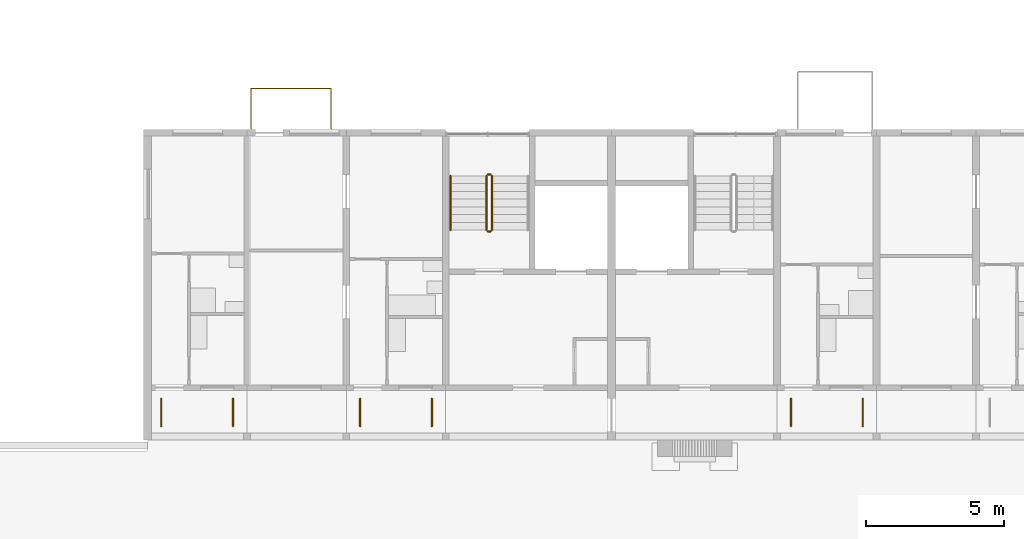
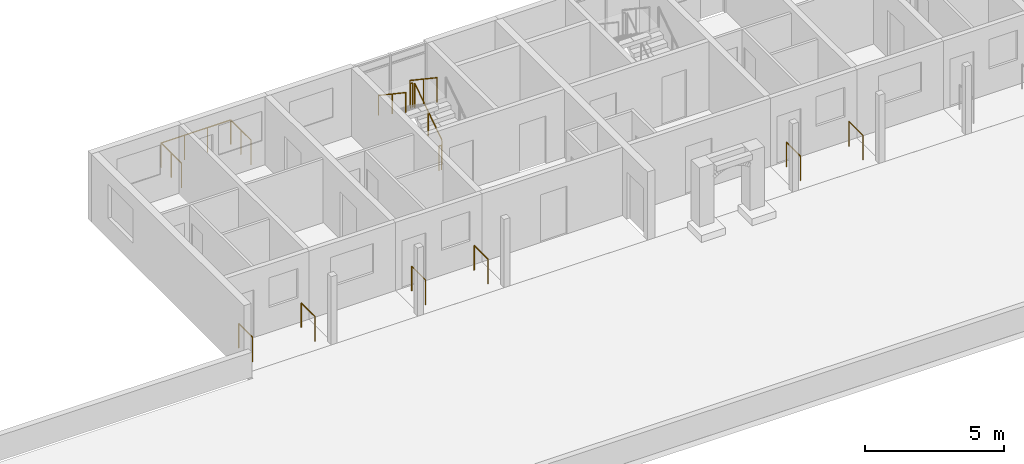
# One storey, part 103 of 115: 12 railings.
"""IFC4 building model written with IfcOpenShell, lengths in metres."""

import ifcopenshell
import ifcopenshell.guid

model = None  # the IFC model being written
_history = None  # IfcOwnerHistory: only IFC2X3 demands one
_inside = {}  # id of a spatial element -> (the spatial element, [elements in it])
_under = {}  # id of a project, library or spatial element -> (it, [spatial elements below it])
_declared = {}  # id of a project -> (the project, [libraries it declares])
_typed = {}  # id of a type object -> (the type object, [elements of that type])
_made_of = {}  # id of a material, layer set ... -> (it, [elements and type objects made of it])


def new_model(schema):
    """Start an empty IFC model of exactly this schema.

    Asked for "IFC4X3", IfcOpenShell would pick the latest addendum, in which some entities
    have other attributes; the version numbers below select the first issue.
    IFC2X3 requires an IfcOwnerHistory on every rooted entity: one is made here for all.
    """
    global model, _history
    if schema == "IFC4X3":
        model = ifcopenshell.file(schema_version=(4, 3, 0, 0))
    else:
        model = ifcopenshell.file(schema=schema)
    _inside.clear()
    _under.clear()
    _declared.clear()
    _typed.clear()
    _made_of.clear()
    _history = None
    if model.schema == "IFC2X3":
        org = make("IfcOrganization", Name="unknown")
        user = make(
            "IfcPersonAndOrganization",
            ThePerson=make("IfcPerson", FamilyName="unknown"),
            TheOrganization=org,
        )
        app = make(
            "IfcApplication",
            ApplicationDeveloper=org,
            Version="unknown",
            ApplicationFullName="unknown",
            ApplicationIdentifier="unknown",
        )
        _history = make(
            "IfcOwnerHistory",
            OwningUser=user,
            OwningApplication=app,
            ChangeAction="ADDED",
            CreationDate=0,
        )
    return model


def make(cls, **values):
    """One entity of the class cls with the attributes given. An attribute that is None is left unset."""
    return model.create_entity(
        cls, **{name: value for name, value in values.items() if value is not None}
    )


def rooted(cls, **values):
    """An entity with a GlobalId (a new one), such as an element, a storey or a relation."""
    return make(cls, GlobalId=ifcopenshell.guid.new(), OwnerHistory=_history, **values)


def si_unit(unit_type, name, prefix=None):
    """IfcSIUnit, for example si_unit("LENGTHUNIT", "METRE", prefix="MILLI")."""
    return make("IfcSIUnit", UnitType=unit_type, Prefix=prefix, Name=name)


def assignment(units):
    """IfcUnitAssignment: the units of a project."""
    return None if units is None else make("IfcUnitAssignment", Units=units)


def point(xyz):
    """IfcCartesianPoint."""
    return None if xyz is None else make("IfcCartesianPoint", Coordinates=xyz)


def direction(xyz):
    """IfcDirection."""
    return None if xyz is None else make("IfcDirection", DirectionRatios=xyz)


def frame(location, z_axis=None, x_axis=None):
    """IfcAxis2Placement3D, a coordinate frame: its origin and axes. An axis left out is left unset."""
    return make(
        "IfcAxis2Placement3D",
        Location=point(location),
        Axis=direction(z_axis),
        RefDirection=direction(x_axis),
    )


def frame_2d(location, x_axis=None):
    """IfcAxis2Placement2D, a coordinate frame in the plane: its origin and x axis."""
    return make(
        "IfcAxis2Placement2D", Location=point(location), RefDirection=direction(x_axis)
    )


def origin():
    """The frame at (0, 0, 0) with its axes left unset."""
    return frame((0.0, 0.0, 0.0))


def origin_2d():
    """The frame at (0, 0) in the plane with its x axis left unset."""
    return frame_2d((0.0, 0.0))


def place(relative_to, where):
    """IfcLocalPlacement: puts the frame where relative to a parent placement (None: the world)."""
    return make(
        "IfcLocalPlacement", PlacementRelTo=relative_to, RelativePlacement=where
    )


def context(
    kind, dimensions, precision=None, world=None, true_north=None, identifier=None
):
    """IfcGeometricRepresentationContext, for example the 3D "Model" context."""
    return make(
        "IfcGeometricRepresentationContext",
        ContextIdentifier=identifier,
        ContextType=kind,
        CoordinateSpaceDimension=dimensions,
        Precision=precision,
        WorldCoordinateSystem=world,
        TrueNorth=true_north,
    )


def subcontext(parent, identifier, kind, view, scale=None):
    """IfcGeometricRepresentationSubContext, for example "Body" below "Model"."""
    return make(
        "IfcGeometricRepresentationSubContext",
        ContextIdentifier=identifier,
        ContextType=kind,
        ParentContext=parent,
        TargetScale=scale,
        TargetView=view,
    )


def project(units=None, contexts=None):
    """IfcProject with its units and contexts."""
    return rooted(
        "IfcProject",
        Name="project",
        RepresentationContexts=contexts,
        UnitsInContext=assignment(units),
    )


def spatial(cls, under=None, at=None, **own):
    """A site, building, storey or space (cls), placed at a placement, below another one or the project."""
    s = rooted(cls, ObjectPlacement=at, **own)
    if under is not None:
        _under.setdefault(under.id(), (under, []))[1].append(s)
    return s


def profile(cls, at=None, kind="AREA", **sizes):
    """A parametric profile (cls). Its sizes go by their IFC names, for example OverallWidth=200.0."""
    return make(cls, ProfileType=kind, Position=at, **sizes)


def circle(**sizes):
    """IfcCircleProfileDef."""
    return profile("IfcCircleProfileDef", **sizes)


def extrude(swept, where, along, depth):
    """IfcExtrudedAreaSolid: the profile swept, set in the frame where, extruded along a direction by depth."""
    return make(
        "IfcExtrudedAreaSolid",
        SweptArea=swept,
        Position=where,
        ExtrudedDirection=direction(along),
        Depth=depth,
    )


def shape(context_of_items, identifier, shape_type, items):
    """IfcShapeRepresentation: the items that make up one representation, for example the "Body"."""
    return make(
        "IfcShapeRepresentation",
        ContextOfItems=context_of_items,
        RepresentationIdentifier=identifier,
        RepresentationType=shape_type,
        Items=items,
    )


def material(Name=None, Category=None):
    """IfcMaterial."""
    return make("IfcMaterial", Name=Name, Category=Category)


def made_of(thing, what):
    """Note that an element or type object is made of a material, layer set ...; save() writes the relation."""
    if what is not None:
        _made_of.setdefault(what.id(), (what, []))[1].append(thing)
    return thing


def type_object(cls, material=None, **own):
    """A type object (cls), such as IfcWallType, which elements share."""
    return made_of(rooted(cls, **own), material)


def element(
    cls,
    number,
    at=None,
    inside=None,
    cuts=None,
    type_object=None,
    material=None,
    context=None,
    identifier="Body",
    shape_type=None,
    held_by="IfcProductDefinitionShape",
    body=None,
    shapes=None,
    **own,
):
    """One element of the class cls, such as IfcWall. Its Tag is "e" and its number.

    at: its placement. inside: the storey or other place that contains it. cuts: it is an
    opening in that element (IfcRelVoidsElement). A single representation is given by context,
    identifier, shape_type and body (its items); several are given by shapes. held_by: the class
    of the entity that holds the representations. save() writes the other relations.
    """
    e = rooted(cls, Tag="e%d" % number, ObjectPlacement=at, **own)
    if body is not None:
        shapes = [shape(context, identifier, shape_type, body)]
    if shapes is not None:
        e.Representation = make(held_by, Representations=shapes)
    if inside is not None:
        _inside.setdefault(inside.id(), (inside, []))[1].append(e)
    if cuts is not None:
        rooted(
            "IfcRelVoidsElement", RelatingBuildingElement=cuts, RelatedOpeningElement=e
        )
    if type_object is not None:
        _typed.setdefault(type_object.id(), (type_object, []))[1].append(e)
    return made_of(e, material)


def aggregate(whole, parts):
    """IfcRelAggregates: a whole, such as a stair, and the parts it consists of."""
    return rooted("IfcRelAggregates", RelatingObject=whole, RelatedObjects=parts)


def save(model, path):
    """Write the relations noted so far, then the file.

    IfcRelAggregates (storeys below a building ...), IfcRelContainedInSpatialStructure (elements
    in a storey), IfcRelDefinesByType, IfcRelAssociatesMaterial and IfcRelDeclares: one each for
    every whole, place, type object, material and project.
    """
    for whole, parts in _under.values():
        aggregate(whole, parts)
    for where, things in _inside.values():
        rooted(
            "IfcRelContainedInSpatialStructure",
            RelatedElements=things,
            RelatingStructure=where,
        )
    for kind, things in _typed.values():
        rooted("IfcRelDefinesByType", RelatedObjects=things, RelatingType=kind)
    for what, things in _made_of.values():
        rooted("IfcRelAssociatesMaterial", RelatedObjects=things, RelatingMaterial=what)
    for by, libraries in _declared.values():
        rooted("IfcRelDeclares", RelatingContext=by, RelatedDefinitions=libraries)
    model.write(path)


model = new_model("IFC4")

# Units and contexts
model_context = context("Model", 3, precision=1e-05, world=origin(), true_north=direction((0.0, 1.0)))
body_context = subcontext(model_context, "Body", "Model", "MODEL_VIEW")
ifc_project = project(units=[si_unit("LENGTHUNIT", "METRE"), si_unit("AREAUNIT", "SQUARE_METRE"), si_unit("VOLUMEUNIT", "CUBIC_METRE"), si_unit("PLANEANGLEUNIT", "RADIAN"), si_unit("MASSUNIT", "GRAM", prefix="KILO")], contexts=[model_context])

# Site, building, storey
site_placement = place(None, origin())
site = spatial("IfcSite", under=ifc_project, at=site_placement, CompositionType="ELEMENT")
building_placement = place(site_placement, origin())
building = spatial("IfcBuilding", under=site, at=building_placement, Name="Ridgestep Commons", CompositionType="ELEMENT")
storey_placement = place(building_placement, frame((0.0, 0.0, 6.0)))
storey = spatial("IfcBuildingStorey", under=building, at=storey_placement, Name="L02", CompositionType="ELEMENT", Elevation=6.0)

# Railings
ifc_material_1 = material(Name="Structural steel S355JR", Category="steel")
railing_type_1 = type_object("IfcRailingType", Name="Guard 1100", PredefinedType="GUARDRAIL", material=ifc_material_1)
for number, where, name in (
    (1, (147.300048828125, 12.25, 0.0), "Gallery side guard D 02.1W"),
    (2, (149.89990234375, 12.25, 0.0), "Gallery side guard D 02.1E"),
    (3, (154.5, 12.25, 0.0), "Gallery side guard D 02.3W"),
    (4, (157.10009765625, 12.25, 0.0), "Gallery side guard D 02.3E"),
    (5, (170.10009765625, 12.25, 0.0), "Gallery side guard D 02.6W"),
    (6, (172.699951171875, 12.25, 0.0), "Gallery side guard D 02.6E"),
):
    element("IfcRailing", number, at=place(storey_placement, frame(where)), inside=storey, type_object=railing_type_1, Name=name, PredefinedType="GUARDRAIL", context=body_context, shape_type="SweptSolid", body=[
        extrude(circle(Radius=0.02392578125, at=origin_2d()), frame((0.0, 0.0, 1.076171875), z_axis=(0.0, 1.0, 0.0), x_axis=(-1.0, 0.0, 0.0)), (0.0, 0.0, 1.0), 1.0),
        extrude(circle(Radius=0.02099609375, at=origin_2d()), origin(), (0.0, 0.0, 1.0), 1.052001953125),
        extrude(circle(Radius=0.02099609375, at=origin_2d()), frame((0.0, 1.0, 0.0)), (0.0, 0.0, 1.0), 1.052001953125),
    ])
ifc_material_2 = material(Name="Structural steel S355JR", Category="steel")
railing_type_2 = type_object("IfcRailingType", Name="Stair guard 1100", PredefinedType="GUARDRAIL", material=ifc_material_2)
railing_1_placement = place(storey_placement, frame((159.27490234375, 19.35009765625, 0.1875)))
element("IfcRailing", 7, at=railing_1_placement, inside=storey, type_object=railing_type_2, Name="L02 D1C stair guard 1", PredefinedType="GUARDRAIL", context=body_context, shape_type="SweptSolid", body=[
    extrude(circle(Radius=0.02392578125, at=origin_2d()), frame((0.0, 0.0, 1.076171875), z_axis=(0.0, 0.830902050051, 0.556418712142), x_axis=(-1.0, 0.0, 0.0)), (0.0, 0.0, 1.0), 2.35888671875),
    extrude(circle(Radius=0.02099609375, at=origin_2d()), origin(), (0.0, 0.0, 1.0), 1.052001953125),
    extrude(circle(Radius=0.02099609375, at=origin_2d()), frame((0.0, 0.97998046875, 0.65625)), (0.0, 0.0, 1.0), 1.052001953125),
    extrude(circle(Radius=0.02099609375, at=origin_2d()), frame((0.0, 1.9599609375, 1.3125)), (0.0, 0.0, 1.0), 1.052001953125),
])
railing_2_placement = place(storey_placement, frame((159.22509765625, 21.360107421875, 1.5)))
element("IfcRailing", 8, at=railing_2_placement, inside=storey, type_object=railing_type_2, Name="L02 D1C stair guard 2", PredefinedType="GUARDRAIL", context=body_context, shape_type="SweptSolid", body=[
    extrude(circle(Radius=0.02392578125, at=origin_2d()), frame((0.0, 0.0, 1.076171875), z_axis=(-1.0, 0.0, 0.0), x_axis=(0.0, -1.0, 0.0)), (0.0, 0.0, 1.0), 0.10009765625),
    extrude(circle(Radius=0.02099609375, at=origin_2d()), origin(), (0.0, 0.0, 1.0), 1.052001953125),
    extrude(circle(Radius=0.02099609375, at=origin_2d()), frame((-0.10009765625, 0.0, 0.0)), (0.0, 0.0, 1.0), 1.052001953125),
])
railing_3_placement = place(storey_placement, frame((159.074951171875, 21.31005859375, 1.6875)))
element("IfcRailing", 9, at=railing_3_placement, inside=storey, type_object=railing_type_2, Name="L02 D1C stair guard 3", PredefinedType="GUARDRAIL", context=body_context, shape_type="SweptSolid", body=[
    extrude(circle(Radius=0.02392578125, at=origin_2d()), frame((0.0, 0.0, 1.076171875), z_axis=(0.0, -0.830902050051, 0.556418712142), x_axis=(1.0, 0.0, 0.0)), (0.0, 0.0, 1.0), 2.35888671875),
    extrude(circle(Radius=0.02099609375, at=origin_2d()), origin(), (0.0, 0.0, 1.0), 1.052001953125),
    extrude(circle(Radius=0.02099609375, at=origin_2d()), frame((0.0, -0.97998046875, 0.65625)), (0.0, 0.0, 1.0), 1.052001953125),
    extrude(circle(Radius=0.02099609375, at=origin_2d()), frame((0.0, -1.9599609375, 1.3125)), (0.0, 0.0, 1.0), 1.052001953125),
])
railing_4_placement = place(storey_placement, frame((159.22509765625, 19.300048828125, 0.0)))
element("IfcRailing", 10, at=railing_4_placement, inside=storey, type_object=railing_type_2, Name="L02 D1C stair guard 4", PredefinedType="GUARDRAIL", context=body_context, shape_type="SweptSolid", body=[
    extrude(circle(Radius=0.02392578125, at=origin_2d()), frame((0.0, 0.0, 1.076171875), z_axis=(-1.0, 0.0, 0.0), x_axis=(0.0, -1.0, 0.0)), (0.0, 0.0, 1.0), 0.10009765625),
    extrude(circle(Radius=0.02099609375, at=origin_2d()), origin(), (0.0, 0.0, 1.0), 1.052001953125),
    extrude(circle(Radius=0.02099609375, at=origin_2d()), frame((-0.10009765625, 0.0, 0.0)), (0.0, 0.0, 1.0), 1.052001953125),
])
ifc_material_3 = material(Name="Structural steel S355JR", Category="steel")
railing_type_3 = type_object("IfcRailingType", Name="Stair handrail 900", PredefinedType="HANDRAIL", material=ifc_material_3)
railing_5_placement = place(storey_placement, frame((157.77490234375, 21.31005859375, 1.6875)))
element("IfcRailing", 11, at=railing_5_placement, inside=storey, type_object=railing_type_3, Name="L02 D1C stair handrail 2", PredefinedType="HANDRAIL", context=body_context, shape_type="SweptSolid", body=[
    extrude(circle(Radius=0.02392578125, at=origin_2d()), frame((0.0, 0.0, 0.8759765625), z_axis=(0.0, -0.830902050051, 0.556418712142), x_axis=(1.0, 0.0, 0.0)), (0.0, 0.0, 1.0), 2.35888671875),
    extrude(circle(Radius=0.02099609375, at=origin_2d()), origin(), (0.0, 0.0, 1.0), 0.851806640625),
    extrude(circle(Radius=0.02099609375, at=origin_2d()), frame((0.0, -0.97998046875, 0.65625)), (0.0, 0.0, 1.0), 0.851806640625),
    extrude(circle(Radius=0.02099609375, at=origin_2d()), frame((0.0, -1.9599609375, 1.3125)), (0.0, 0.0, 1.0), 0.851806640625),
])
ifc_material_4 = material(Name="Weathering steel S355J2W", Category="steel")
railing_type_4 = type_object("IfcRailingType", Name="Tray guard 1100", PredefinedType="GUARDRAIL", material=ifc_material_4)
railing_6_placement = place(storey_placement, frame((150.551025390625, 23.02099609375, 0.0)))
element("IfcRailing", 12, at=railing_6_placement, inside=storey, type_object=railing_type_4, Name="Tray guard D1T2-02", PredefinedType="GUARDRAIL", context=body_context, shape_type="SweptSolid", body=[
    extrude(circle(Radius=0.02392578125, at=origin_2d()), frame((0.0, 0.0, 1.076171875), z_axis=(0.0, 1.0, 0.0), x_axis=(-1.0, 0.0, 0.0)), (0.0, 0.0, 1.0), 1.4580078125),
    extrude(circle(Radius=0.02392578125, at=origin_2d()), frame((0.0, 1.4580078125, 1.076171875), z_axis=(1.0, 0.0, 0.0), x_axis=(0.0, 1.0, 0.0)), (0.0, 0.0, 1.0), 2.89794921875),
    extrude(circle(Radius=0.02392578125, at=origin_2d()), frame((2.89794921875, 1.4580078125, 1.076171875), z_axis=(0.0, -1.0, 0.0), x_axis=(1.0, 0.0, 0.0)), (0.0, 0.0, 1.0), 1.4580078125),
    extrude(circle(Radius=0.02099609375, at=origin_2d()), origin(), (0.0, 0.0, 1.0), 1.052001953125),
    extrude(circle(Radius=0.02099609375, at=origin_2d()), frame((0.0, 0.72900390625, 0.0)), (0.0, 0.0, 1.0), 1.052001953125),
    extrude(circle(Radius=0.02099609375, at=origin_2d()), frame((0.0, 1.4580078125, 0.0)), (0.0, 0.0, 1.0), 1.052001953125),
    extrude(circle(Radius=0.02099609375, at=origin_2d()), frame((0.966064453125, 1.4580078125, 0.0)), (0.0, 0.0, 1.0), 1.052001953125),
    extrude(circle(Radius=0.02099609375, at=origin_2d()), frame((1.931884765625, 1.4580078125, 0.0)), (0.0, 0.0, 1.0), 1.052001953125),
    extrude(circle(Radius=0.02099609375, at=origin_2d()), frame((2.89794921875, 1.4580078125, 0.0)), (0.0, 0.0, 1.0), 1.052001953125),
    extrude(circle(Radius=0.02099609375, at=origin_2d()), frame((2.89794921875, 0.72900390625, 0.0)), (0.0, 0.0, 1.0), 1.052001953125),
    extrude(circle(Radius=0.02099609375, at=origin_2d()), frame((2.89794921875, 0.0, 0.0)), (0.0, 0.0, 1.0), 1.052001953125),
])

save(model, "model.ifc")
